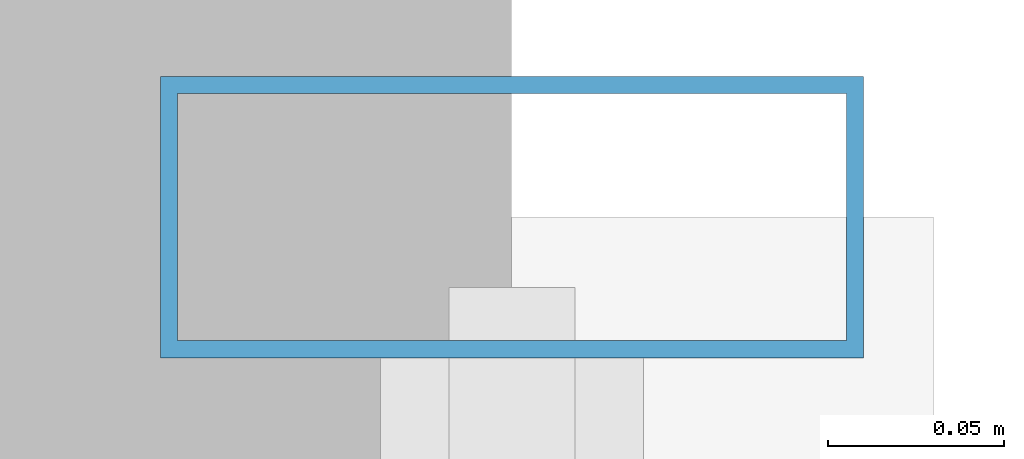
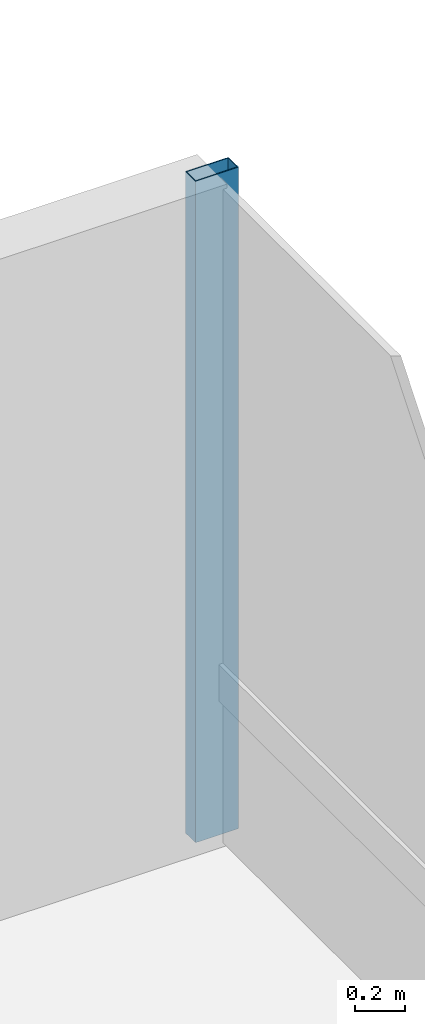
# One storey, part 26 of 33: 1 member, 1 element without a shape of its own.
"""IFC4 building model written with IfcOpenShell, lengths in metres."""

from ifc_helpers import new_model, si_unit, direction, frame, origin, origin_2d, place, context, subcontext, project, spatial, hollow_rectangle, extrude, material, layer, layer_set, material_profile, profile_set, type_object, element, aggregate, save


model = new_model("IFC4")

# Units and contexts
model_context = context("Model", 3, precision=1e-05, world=origin(), true_north=direction((0.0, 1.0)))
body_context = subcontext(model_context, "Body", "Model", "MODEL_VIEW")
ifc_project = project(units=[si_unit("LENGTHUNIT", "METRE"), si_unit("AREAUNIT", "SQUARE_METRE"), si_unit("VOLUMEUNIT", "CUBIC_METRE"), si_unit("PLANEANGLEUNIT", "RADIAN"), si_unit("MASSUNIT", "GRAM", prefix="KILO")], contexts=[model_context])

# Site, building, storey
site_placement = place(None, origin())
site = spatial("IfcSite", under=ifc_project, at=site_placement, CompositionType="ELEMENT")
building_placement = place(site_placement, origin())
building = spatial("IfcBuilding", under=site, at=building_placement, Name="Drelvath Grand Hotel", CompositionType="ELEMENT")
storey_placement = place(building_placement, frame((0.0, 0.0, 119.800048828125)))
storey = spatial("IfcBuildingStorey", under=building, at=storey_placement, Name="L30", CompositionType="ELEMENT", Elevation=119.800048828125)

# Curtain wall, member
ifc_material = material(Name="Champagne Bronze Anodised Aluminium Frame", Category="aluminium")
ifc_layer = layer(ifc_material, 0.199951171875)
ifc_layer_set = layer_set([ifc_layer], Name="Champagne Bronze Anodised Aluminium Frame")
curtain_wall_type = type_object("IfcCurtainWallType", Name="Stick Curtain Wall CW-03 Champagne Bronze Mid-Rise", PredefinedType="NOTDEFINED", material=ifc_layer_set)
curtain_wall_placement = place(storey_placement, origin())
curtain_wall = element("IfcCurtainWall", 1, at=curtain_wall_placement, inside=storey, type_object=curtain_wall_type, Name="L30 CW-03 Curtain Wall CW03-L30-EN3", PredefinedType="NOTDEFINED")
ifc_material_profile = material_profile(ifc_material, hollow_rectangle(XDim=0.080078125, YDim=0.199951171875, WallThickness=0.0048828125, at=origin_2d()), Name="HSS200X80X5")
ifc_profile_set = profile_set([ifc_material_profile], Name="Champagne Bronze Anodised Aluminium Frame")
member_type = type_object("IfcMemberType", Name="Curtain Wall Vertical Mullion CW-03 HSS200X80X5", PredefinedType="MULLION", material=ifc_profile_set)
member_placement = place(storey_placement, frame((22.080078125, 49.5, 0.0), z_axis=(0.0, 0.0, 1.0), x_axis=(0.0, 1.0, 0.0)))
member = element("IfcMember", 2, at=member_placement, type_object=member_type, Name="CW03-L30-EN3 Mullion 1", PredefinedType="MULLION", context=body_context, shape_type="SweptSolid", body=[
    extrude(hollow_rectangle(XDim=0.080078125, YDim=0.199951171875, WallThickness=0.0048828125, at=origin_2d()), origin(), (0.0, 0.0, 1.0), 3.239990234375),
])
aggregate(curtain_wall, [member])

save(model, "model.ifc")
